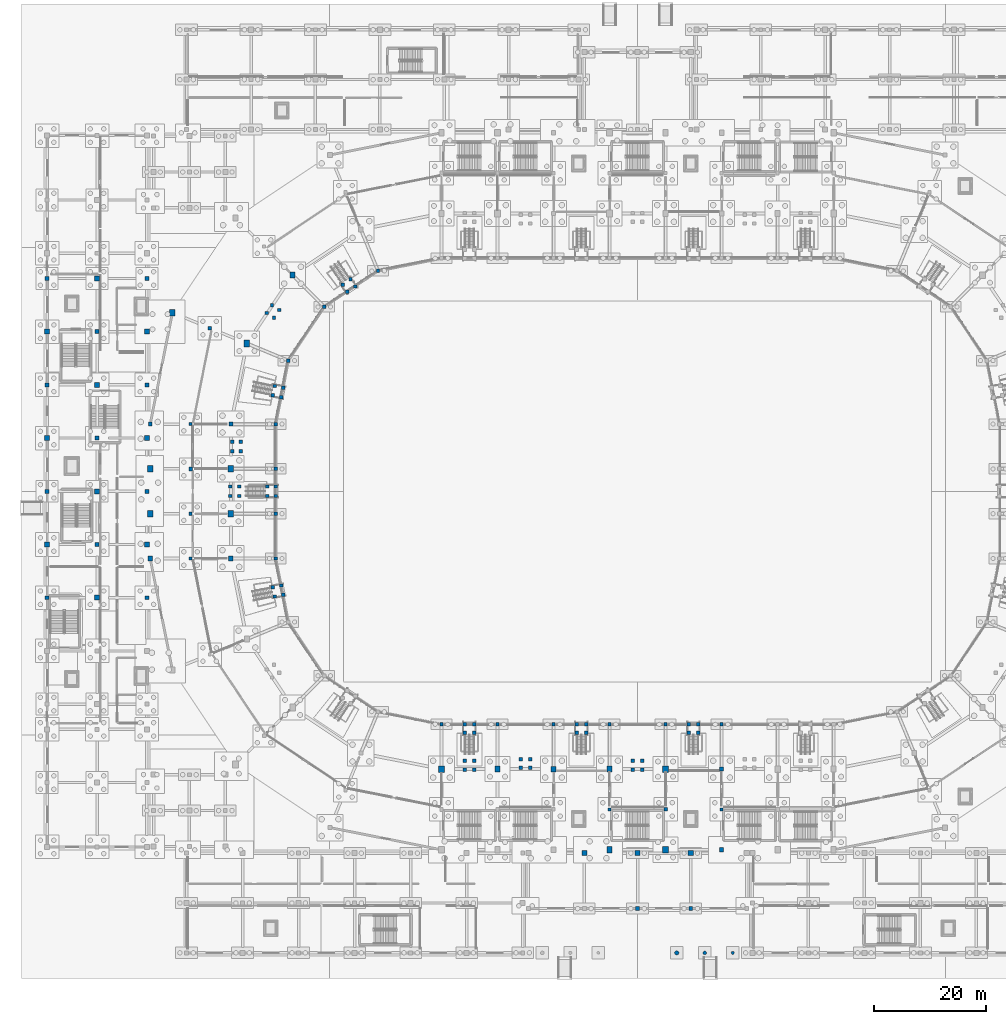
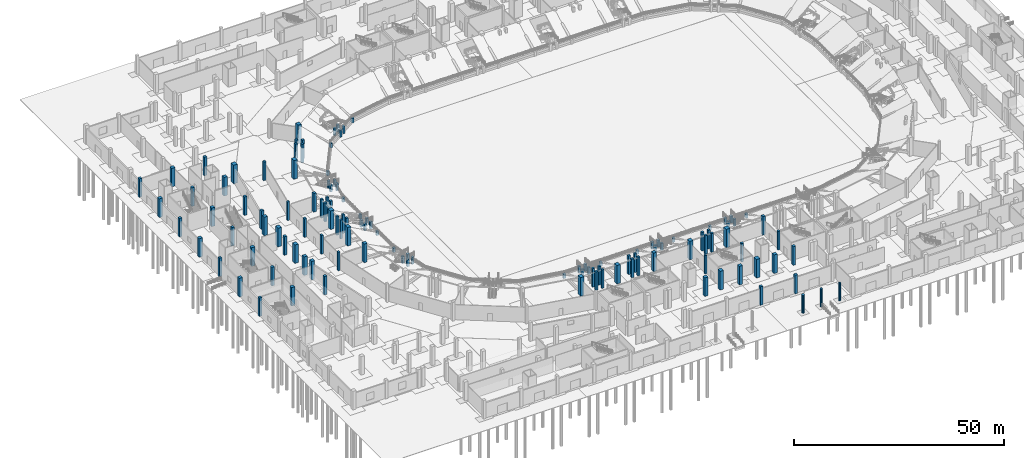
# One storey, part 15 of 68: 122 columns.
"""IFC4 building model written with IfcOpenShell, lengths in metres."""

from ifc_helpers import new_model, si_unit, direction, frame, origin, origin_2d, place, context, subcontext, project, spatial, rectangle, circle, extrude, material, material_profile, profile_set, type_object, element, save


model = new_model("IFC4")

# Units and contexts
model_context = context("Model", 3, precision=1e-05, world=origin(), true_north=direction((0.0, 1.0)))
body_context = subcontext(model_context, "Body", "Model", "MODEL_VIEW")
ifc_project = project(units=[si_unit("LENGTHUNIT", "METRE"), si_unit("AREAUNIT", "SQUARE_METRE"), si_unit("VOLUMEUNIT", "CUBIC_METRE"), si_unit("PLANEANGLEUNIT", "RADIAN"), si_unit("MASSUNIT", "GRAM", prefix="KILO")], contexts=[model_context])

# Site, building, storey
site_placement = place(None, origin())
site = spatial("IfcSite", under=ifc_project, at=site_placement, CompositionType="ELEMENT")
building_placement = place(site_placement, origin())
building = spatial("IfcBuilding", under=site, at=building_placement, Name="Candeia Ridge Stadium", CompositionType="ELEMENT")
storey_placement = place(building_placement, origin())
storey = spatial("IfcBuildingStorey", under=building, at=storey_placement, Name="L00", CompositionType="ELEMENT", Elevation=0.0)

# Columns
ifc_material_1 = material(Name="Concrete C45/55", Category="concrete")
ifc_material_profile_1 = material_profile(ifc_material_1, rectangle(XDim=1.0, YDim=1.199951171875, at=origin_2d()), Name="RC1000x1200", Category="concrete")
ifc_profile_set_1 = profile_set([ifc_material_profile_1], Name="Concrete C45/55")
column_type_1 = type_object("IfcColumnType", Name="Bowl Spine Column RC1000x1200", PredefinedType="COLUMN", material=ifc_profile_set_1)
for number, where, z_axis, x_axis, name in (
    (1, (36.26220703125, 109.388916015625, 0.0), (0.0, 0.0, 1.0), (1.0, 0.0, 0.0), "Structural column BC-MD-10 L00"),
    (2, (22.958251953125, 114.899658203125, 0.0), (0.0, 0.0, 1.0), (1.0, 0.0, 0.0), "Structural column BC-OU-10 L00"),
    (3, (33.39990234375, 87.0, 0.0), (0.0, 0.0, 1.0), (1.0, 0.0, 0.0), "Structural column BC-MD-12 L00"),
    (4, (19.0, 87.0, 0.0), (0.0, 0.0, 1.0), (1.0, 0.0, 0.0), "Structural column BC-OU-12 L00"),
    (5, (71.0, 33.39990234375, 0.0), (0.0, 0.0, 1.0), (1.0, 0.0, 0.0), "Structural column BC-MD-18 L00"),
    (6, (111.0, 33.39990234375, 0.0), (0.0, 0.0, 1.0), (1.0, 0.0, 0.0), "Structural column BC-MD-22 L00"),
    (7, (111.0, 19.0, 0.0), (0.0, 0.0, 1.0), (1.0, 0.0, 0.0), "Structural column BC-OU-22 L00"),
):
    element("IfcColumn", number, at=place(storey_placement, frame(where, z_axis=z_axis, x_axis=x_axis)), inside=storey, type_object=column_type_1, Name=name, PredefinedType="COLUMN", context=body_context, shape_type="SweptSolid", body=[
        extrude(rectangle(XDim=1.0, YDim=1.199951171875, at=origin_2d()), origin(), (0.0, 0.0, 1.0), 5.39990234375),
    ])
ifc_material_profile_2 = material_profile(ifc_material_1, rectangle(XDim=0.89990234375, YDim=0.89990234375, at=origin_2d()), Name="RC900x900", Category="concrete")
ifc_profile_set_2 = profile_set([ifc_material_profile_2], Name="Concrete C45/55")
column_type_2 = type_object("IfcColumnType", Name="Bowl Spine Column RC900x900", PredefinedType="COLUMN", material=ifc_profile_set_2)
for number, where, z_axis, x_axis, name in (
    (8, (0.60009765625, 73.5, 0.0), (0.0, 0.0, 1.0), (1.0, 0.0, 0.0), "Structural column WP-00-06 L00"),
    (9, (0.60009765625, 92.5, 0.0), (0.0, 0.0, 1.0), (1.0, 0.0, 0.0), "Structural column WP-00-08 L00"),
    (10, (0.60009765625, 111.5, 0.0), (0.0, 0.0, 1.0), (1.0, 0.0, 0.0), "Structural column WP-00-10 L00"),
    (11, (9.5, 64.0, 0.0), (0.0, 0.0, 1.0), (1.0, 0.0, 0.0), "Structural column WP-01-05 L00"),
    (12, (9.5, 83.0, 0.0), (0.0, 0.0, 1.0), (1.0, 0.0, 0.0), "Structural column WP-01-07 L00"),
    (13, (9.5, 102.0, 0.0), (0.0, 0.0, 1.0), (1.0, 0.0, 0.0), "Structural column WP-01-09 L00"),
    (14, (9.5, 121.0, 0.0), (0.0, 0.0, 1.0), (1.0, 0.0, 0.0), "Structural column WP-01-11 L00"),
    (15, (18.39990234375, 73.5, 0.0), (0.0, 0.0, 1.0), (1.0, 0.0, 0.0), "Structural column WP-02-06 L00"),
    (16, (18.39990234375, 92.5, 0.0), (0.0, 0.0, 1.0), (1.0, 0.0, 0.0), "Structural column WP-02-08 L00"),
    (17, (18.39990234375, 111.5, 0.0), (0.0, 0.0, 1.0), (1.0, 0.0, 0.0), "Structural column WP-02-10 L00"),
    (18, (96.5, 18.39990234375, 0.0), (0.0, 0.0, 1.0), (1.0, 0.0, 0.0), "Structural column SG-01-01 L00"),
    (19, (106.0, 18.39990234375, 0.0), (0.0, 0.0, 1.0), (1.0, 0.0, 0.0), "Structural column SG-02-01 L00"),
    (20, (115.5, 18.39990234375, 0.0), (0.0, 0.0, 1.0), (1.0, 0.0, 0.0), "Structural column SG-03-01 L00"),
):
    element("IfcColumn", number, at=place(storey_placement, frame(where, z_axis=z_axis, x_axis=x_axis)), inside=storey, type_object=column_type_2, Name=name, PredefinedType="COLUMN", context=body_context, shape_type="SweptSolid", body=[
        extrude(rectangle(XDim=0.89990234375, YDim=0.89990234375, at=origin_2d()), origin(), (0.0, 0.0, 1.0), 5.39990234375),
    ])
ifc_material_profile_3 = material_profile(ifc_material_1, circle(Radius=0.27490234375, at=origin_2d()), Name="RCC-D550", Category="concrete")
ifc_profile_set_3 = profile_set([ifc_material_profile_3], Name="Concrete C45/55")
column_type_3 = type_object("IfcColumnType", Name="Circular Concrete Arcade Column RCC-D550", PredefinedType="COLUMN", material=ifc_profile_set_3)
column_1_placement = place(storey_placement, frame((123.0, 0.60009765625, 0.0), z_axis=(0.0, 0.0, 1.0), x_axis=(1.0, 0.0, 0.0)))
element("IfcColumn", 21, at=column_1_placement, inside=storey, type_object=column_type_3, Name="Rain passage colonnade column RP-06", PredefinedType="COLUMN", context=body_context, shape_type="SweptSolid", body=[
    extrude(circle(Radius=0.27490234375, at=origin_2d()), origin(), (0.0, 0.0, 1.0), 5.199951171875),
])
ifc_material_profile_4 = material_profile(ifc_material_1, circle(Radius=0.324951171875, at=origin_2d()), Name="RCC-D650", Category="concrete")
ifc_profile_set_4 = profile_set([ifc_material_profile_4], Name="Concrete C45/55")
column_type_4 = type_object("IfcColumnType", Name="Circular Concrete Arcade Column RCC-D650", PredefinedType="COLUMN", material=ifc_profile_set_4)
column_2_placement = place(storey_placement, frame((118.0, 0.60009765625, 0.0), z_axis=(0.0, 0.0, 1.0), x_axis=(1.0, 0.0, 0.0)))
element("IfcColumn", 22, at=column_2_placement, inside=storey, type_object=column_type_4, Name="Rain passage colonnade column RP-05", PredefinedType="COLUMN", context=body_context, shape_type="SweptSolid", body=[
    extrude(circle(Radius=0.324951171875, at=origin_2d()), origin(), (0.0, 0.0, 1.0), 5.199951171875),
])
ifc_material_profile_5 = material_profile(ifc_material_1, circle(Radius=0.375, at=origin_2d()), Name="RCC-D750", Category="concrete")
ifc_profile_set_5 = profile_set([ifc_material_profile_5], Name="Concrete C45/55")
column_type_5 = type_object("IfcColumnType", Name="Circular Concrete Arcade Column RCC-D750", PredefinedType="COLUMN", material=ifc_profile_set_5)
column_3_placement = place(storey_placement, frame((113.0, 0.60009765625, 0.0), z_axis=(0.0, 0.0, 1.0), x_axis=(1.0, 0.0, 0.0)))
element("IfcColumn", 23, at=column_3_placement, inside=storey, type_object=column_type_5, Name="Rain passage colonnade column RP-04", PredefinedType="COLUMN", context=body_context, shape_type="SweptSolid", body=[
    extrude(circle(Radius=0.375, at=origin_2d()), origin(), (0.0, 0.0, 1.0), 5.199951171875),
])
ifc_material_2 = material(Name="Concrete C40/50", Category="concrete")
ifc_material_profile_6 = material_profile(ifc_material_2, rectangle(XDim=0.47998046875, YDim=0.56005859375, at=origin_2d()), Name="RC480x560", Category="concrete")
ifc_profile_set_6 = profile_set([ifc_material_profile_6], Name="Concrete C40/50")
column_type_6 = type_object("IfcColumnType", Name="Graduated Frame Column RC480x560", PredefinedType="COLUMN", material=ifc_profile_set_6)
column_4_placement = place(storey_placement, frame((101.0, 26.199951171875, 0.0), z_axis=(0.0, 0.0, 1.0), x_axis=(1.0, 0.0, 0.0)))
element("IfcColumn", 24, at=column_4_placement, inside=storey, type_object=column_type_6, Name="Structural column BC-M2-21 L00", PredefinedType="COLUMN", context=body_context, shape_type="SweptSolid", body=[
    extrude(rectangle(XDim=0.47998046875, YDim=0.56005859375, at=origin_2d()), origin(), (0.0, 0.0, 1.0), 5.39990234375),
])
ifc_material_profile_7 = material_profile(ifc_material_2, rectangle(XDim=0.52001953125, YDim=0.6201171875, at=origin_2d()), Name="RC520x620", Category="concrete")
ifc_profile_set_7 = profile_set([ifc_material_profile_7], Name="Concrete C40/50")
column_type_7 = type_object("IfcColumnType", Name="Graduated Frame Column RC520x620", PredefinedType="COLUMN", material=ifc_profile_set_7)
column_5_placement = place(storey_placement, frame((26.199951171875, 71.0, 0.0), z_axis=(0.0, 0.0, 1.0), x_axis=(1.0, 0.0, 0.0)))
element("IfcColumn", 25, at=column_5_placement, inside=storey, type_object=column_type_7, Name="Structural column BC-M2-14 L00", PredefinedType="COLUMN", context=body_context, shape_type="SweptSolid", body=[
    extrude(rectangle(XDim=0.52001953125, YDim=0.6201171875, at=origin_2d()), origin(), (0.0, 0.0, 1.0), 5.39990234375),
])
ifc_material_profile_8 = material_profile(ifc_material_2, rectangle(XDim=0.580078125, YDim=0.580078125, at=origin_2d()), Name="RC580x580", Category="concrete")
ifc_profile_set_8 = profile_set([ifc_material_profile_8], Name="Concrete C40/50")
column_type_8 = type_object("IfcColumnType", Name="Graduated Frame Column RC580x580", PredefinedType="COLUMN", material=ifc_profile_set_8)
for number, where, z_axis, x_axis, name in (
    (26, (26.199951171875, 95.0, 0.0), (0.0, 0.0, 1.0), (1.0, 0.0, 0.0), "Structural column BC-M2-11 L00"),
    (27, (121.0, 26.199951171875, 0.0), (0.0, 0.0, 1.0), (1.0, 0.0, 0.0), "Structural column BC-M2-23 L00"),
):
    element("IfcColumn", number, at=place(storey_placement, frame(where, z_axis=z_axis, x_axis=x_axis)), inside=storey, type_object=column_type_8, Name=name, PredefinedType="COLUMN", context=body_context, shape_type="SweptSolid", body=[
        extrude(rectangle(XDim=0.580078125, YDim=0.580078125, at=origin_2d()), origin(), (0.0, 0.0, 1.0), 5.39990234375),
    ])
ifc_material_profile_9 = material_profile(ifc_material_2, rectangle(XDim=0.580078125, YDim=0.679931640625, at=origin_2d()), Name="RC580x680", Category="concrete")
ifc_profile_set_9 = profile_set([ifc_material_profile_9], Name="Concrete C40/50")
column_type_9 = type_object("IfcColumnType", Name="Graduated Frame Column RC580x680", PredefinedType="COLUMN", material=ifc_profile_set_9)
column_6_placement = place(storey_placement, frame((26.199951171875, 79.0, 0.0), z_axis=(0.0, 0.0, 1.0), x_axis=(1.0, 0.0, 0.0)))
element("IfcColumn", 28, at=column_6_placement, inside=storey, type_object=column_type_9, Name="Structural column BC-M2-13 L00", PredefinedType="COLUMN", context=body_context, shape_type="SweptSolid", body=[
    extrude(rectangle(XDim=0.580078125, YDim=0.679931640625, at=origin_2d()), origin(), (0.0, 0.0, 1.0), 5.39990234375),
])
ifc_material_profile_10 = material_profile(ifc_material_2, rectangle(XDim=0.6201171875, YDim=0.6201171875, at=origin_2d()), Name="RC620x620", Category="concrete")
ifc_profile_set_10 = profile_set([ifc_material_profile_10], Name="Concrete C40/50")
column_type_10 = type_object("IfcColumnType", Name="Graduated Frame Column RC620x620", PredefinedType="COLUMN", material=ifc_profile_set_10)
for number, where, z_axis, x_axis, name in (
    (29, (29.610107421875, 112.144287109375, 0.0), (0.0, 0.0, 1.0), (1.0, 0.0, 0.0), "Structural column BC-M2-10 L00"),
    (30, (111.0, 26.199951171875, 0.0), (0.0, 0.0, 1.0), (1.0, 0.0, 0.0), "Structural column BC-M2-22 L00"),
):
    element("IfcColumn", number, at=place(storey_placement, frame(where, z_axis=z_axis, x_axis=x_axis)), inside=storey, type_object=column_type_10, Name=name, PredefinedType="COLUMN", context=body_context, shape_type="SweptSolid", body=[
        extrude(rectangle(XDim=0.6201171875, YDim=0.6201171875, at=origin_2d()), origin(), (0.0, 0.0, 1.0), 5.39990234375),
    ])
ifc_material_profile_11 = material_profile(ifc_material_2, rectangle(XDim=0.6201171875, YDim=0.719970703125, at=origin_2d()), Name="RC620x720", Category="concrete")
ifc_profile_set_11 = profile_set([ifc_material_profile_11], Name="Concrete C40/50")
column_type_11 = type_object("IfcColumnType", Name="Graduated Frame Column RC620x720", PredefinedType="COLUMN", material=ifc_profile_set_11)
column_7_placement = place(storey_placement, frame((26.199951171875, 87.0, 0.0), z_axis=(0.0, 0.0, 1.0), x_axis=(1.0, 0.0, 0.0)))
element("IfcColumn", 31, at=column_7_placement, inside=storey, type_object=column_type_11, Name="Structural column BC-M2-12 L00", PredefinedType="COLUMN", context=body_context, shape_type="SweptSolid", body=[
    extrude(rectangle(XDim=0.6201171875, YDim=0.719970703125, at=origin_2d()), origin(), (0.0, 0.0, 1.0), 5.39990234375),
])
ifc_material_profile_12 = material_profile(ifc_material_2, rectangle(XDim=0.679931640625, YDim=0.760009765625, at=origin_2d()), Name="RC680x760", Category="concrete")
ifc_profile_set_12 = profile_set([ifc_material_profile_12], Name="Concrete C40/50")
column_type_12 = type_object("IfcColumnType", Name="Graduated Frame Column RC680x760", PredefinedType="COLUMN", material=ifc_profile_set_12)
for number, where, z_axis, x_axis, name in (
    (32, (33.39990234375, 95.0, 0.0), (0.0, 0.0, 1.0), (1.0, 0.0, 0.0), "Structural column BC-MD-11 L00"),
    (33, (19.0, 95.0, 0.0), (0.0, 0.0, 1.0), (1.0, 0.0, 0.0), "Structural column BC-OU-11 L00"),
    (34, (121.0, 33.39990234375, 0.0), (0.0, 0.0, 1.0), (1.0, 0.0, 0.0), "Structural column BC-MD-23 L00"),
    (35, (121.0, 19.0, 0.0), (0.0, 0.0, 1.0), (1.0, 0.0, 0.0), "Structural column BC-OU-23 L00"),
):
    element("IfcColumn", number, at=place(storey_placement, frame(where, z_axis=z_axis, x_axis=x_axis)), inside=storey, type_object=column_type_12, Name=name, PredefinedType="COLUMN", context=body_context, shape_type="SweptSolid", body=[
        extrude(rectangle(XDim=0.679931640625, YDim=0.760009765625, at=origin_2d()), origin(), (0.0, 0.0, 1.0), 5.39990234375),
    ])
ifc_material_profile_13 = material_profile(ifc_material_1, rectangle(XDim=0.820068359375, YDim=0.949951171875, at=origin_2d()), Name="RC820x950", Category="concrete")
ifc_profile_set_13 = profile_set([ifc_material_profile_13], Name="Concrete C45/55")
column_type_13 = type_object("IfcColumnType", Name="Graduated Frame Column RC820x950", PredefinedType="COLUMN", material=ifc_profile_set_13)
for number, where, z_axis, x_axis, name in (
    (36, (33.39990234375, 71.0, 0.0), (0.0, 0.0, 1.0), (1.0, 0.0, 0.0), "Structural column BC-MD-14 L00"),
    (37, (19.0, 71.0, 0.0), (0.0, 0.0, 1.0), (1.0, 0.0, 0.0), "Structural column BC-OU-14 L00"),
    (38, (91.0, 33.39990234375, 0.0), (0.0, 0.0, 1.0), (1.0, 0.0, 0.0), "Structural column BC-MD-20 L00"),
):
    element("IfcColumn", number, at=place(storey_placement, frame(where, z_axis=z_axis, x_axis=x_axis)), inside=storey, type_object=column_type_13, Name=name, PredefinedType="COLUMN", context=body_context, shape_type="SweptSolid", body=[
        extrude(rectangle(XDim=0.820068359375, YDim=0.949951171875, at=origin_2d()), origin(), (0.0, 0.0, 1.0), 5.39990234375),
    ])
ifc_material_profile_14 = material_profile(ifc_material_1, rectangle(XDim=0.949951171875, YDim=1.10009765625, at=origin_2d()), Name="RC950x1100", Category="concrete")
ifc_profile_set_14 = profile_set([ifc_material_profile_14], Name="Concrete C45/55")
column_type_14 = type_object("IfcColumnType", Name="Reinforced Concrete Column RC950x1100", PredefinedType="COLUMN", material=ifc_profile_set_14)
for number, where, z_axis, x_axis, name in (
    (39, (44.412841796875, 121.587158203125, 0.0), (0.0, 0.0, 1.0), (1.0, 0.0, 0.0), "Structural column BC-MD-09 L00"),
    (40, (33.39990234375, 79.0, 0.0), (0.0, 0.0, 1.0), (1.0, 0.0, 0.0), "Structural column BC-MD-13 L00"),
    (41, (19.0, 79.0, 0.0), (0.0, 0.0, 1.0), (1.0, 0.0, 0.0), "Structural column BC-OU-13 L00"),
    (42, (81.0, 33.39990234375, 0.0), (0.0, 0.0, 1.0), (1.0, 0.0, 0.0), "Structural column BC-MD-19 L00"),
    (43, (101.0, 33.39990234375, 0.0), (0.0, 0.0, 1.0), (1.0, 0.0, 0.0), "Structural column BC-MD-21 L00"),
    (44, (101.0, 19.0, 0.0), (0.0, 0.0, 1.0), (1.0, 0.0, 0.0), "Structural column BC-OU-21 L00"),
):
    element("IfcColumn", number, at=place(storey_placement, frame(where, z_axis=z_axis, x_axis=x_axis)), inside=storey, type_object=column_type_14, Name=name, PredefinedType="COLUMN", context=body_context, shape_type="SweptSolid", body=[
        extrude(rectangle(XDim=0.949951171875, YDim=1.10009765625, at=origin_2d()), origin(), (0.0, 0.0, 1.0), 5.39990234375),
    ])
ifc_material_profile_15 = material_profile(ifc_material_2, rectangle(XDim=0.60009765625, YDim=0.60009765625, at=origin_2d()), Name="RC600x600", Category="concrete")
ifc_profile_set_15 = profile_set([ifc_material_profile_15], Name="Concrete C40/50")
column_type_15 = type_object("IfcColumnType", Name="Wing Column RC600x600", PredefinedType="COLUMN", material=ifc_profile_set_15)
for number, where, z_axis, x_axis, name in (
    (45, (59.672607421875, 122.346923828125, 0.0), (0.0, 0.0, 1.0), (1.0, 0.0, 0.0), "Inner stand support column BC-IN-08"),
    (46, (50.069580078125, 115.930419921875, 0.0), (0.0, 0.0, 1.0), (1.0, 0.0, 0.0), "Inner stand support column BC-IN-09"),
    (47, (43.653076171875, 106.327392578125, 0.0), (0.0, 0.0, 1.0), (1.0, 0.0, 0.0), "Inner stand support column BC-IN-10"),
    (48, (41.39990234375, 95.0, 0.0), (0.0, 0.0, 1.0), (1.0, 0.0, 0.0), "Inner stand support column BC-IN-11"),
    (49, (41.39990234375, 87.0, 0.0), (0.0, 0.0, 1.0), (1.0, 0.0, 0.0), "Inner stand support column BC-IN-12"),
    (50, (41.39990234375, 79.0, 0.0), (0.0, 0.0, 1.0), (1.0, 0.0, 0.0), "Inner stand support column BC-IN-13"),
    (51, (41.39990234375, 71.0, 0.0), (0.0, 0.0, 1.0), (1.0, 0.0, 0.0), "Inner stand support column BC-IN-14"),
    (52, (71.0, 41.39990234375, 0.0), (0.0, 0.0, 1.0), (1.0, 0.0, 0.0), "Inner stand support column BC-IN-18"),
    (53, (81.0, 41.39990234375, 0.0), (0.0, 0.0, 1.0), (1.0, 0.0, 0.0), "Inner stand support column BC-IN-19"),
    (54, (91.0, 41.39990234375, 0.0), (0.0, 0.0, 1.0), (1.0, 0.0, 0.0), "Inner stand support column BC-IN-20"),
    (55, (101.0, 41.39990234375, 0.0), (0.0, 0.0, 1.0), (1.0, 0.0, 0.0), "Inner stand support column BC-IN-21"),
    (56, (111.0, 41.39990234375, 0.0), (0.0, 0.0, 1.0), (1.0, 0.0, 0.0), "Inner stand support column BC-IN-22"),
    (57, (121.0, 41.39990234375, 0.0), (0.0, 0.0, 1.0), (1.0, 0.0, 0.0), "Inner stand support column BC-IN-23"),
):
    element("IfcColumn", number, at=place(storey_placement, frame(where, z_axis=z_axis, x_axis=x_axis)), inside=storey, type_object=column_type_15, Name=name, PredefinedType="COLUMN", context=body_context, shape_type="SweptSolid", body=[
        extrude(rectangle(XDim=0.60009765625, YDim=0.60009765625, at=origin_2d()), origin(), (0.0, 0.0, 1.0), 1.25),
    ])
for number, where, z_axis, x_axis, name in (
    (58, (53.3388671875, 119.902099609375, 0.0), (0.0, 0.0, 1.0), (1.0, 0.0, 0.0), "Vomitory VS05 landing support column 1 L00"),
    (59, (54.199951171875, 118.61328125, 0.0), (0.0, 0.0, 1.0), (1.0, 0.0, 0.0), "Vomitory VS05 landing support column 2 L00"),
    (60, (55.61328125, 119.5576171875, 0.0), (0.0, 0.0, 1.0), (1.0, 0.0, 0.0), "Vomitory VS05 landing support column 3 L00"),
    (61, (54.752197265625, 120.846435546875, 0.0), (0.0, 0.0, 1.0), (1.0, 0.0, 0.0), "Vomitory VS05 landing support column 4 L00"),
    (62, (40.9033203125, 100.1201171875, 0.0), (0.0, 0.0, 1.0), (1.0, 0.0, 0.0), "Vomitory VS06 landing support column 1 L00"),
    (63, (42.423583984375, 99.817626953125, 0.0), (0.0, 0.0, 1.0), (1.0, 0.0, 0.0), "Vomitory VS06 landing support column 2 L00"),
    (64, (42.755126953125, 101.48486328125, 0.0), (0.0, 0.0, 1.0), (1.0, 0.0, 0.0), "Vomitory VS06 landing support column 3 L00"),
    (65, (41.23486328125, 101.787353515625, 0.0), (0.0, 0.0, 1.0), (1.0, 0.0, 0.0), "Vomitory VS06 landing support column 4 L00"),
    (66, (39.8779296875, 82.14990234375, 0.0), (0.0, 0.0, 1.0), (1.0, 0.0, 0.0), "Vomitory VS07 landing support column 1 L00"),
    (67, (41.427978515625, 82.14990234375, 0.0), (0.0, 0.0, 1.0), (1.0, 0.0, 0.0), "Vomitory VS07 landing support column 2 L00"),
    (68, (41.427978515625, 83.85009765625, 0.0), (0.0, 0.0, 1.0), (1.0, 0.0, 0.0), "Vomitory VS07 landing support column 3 L00"),
    (69, (39.8779296875, 83.85009765625, 0.0), (0.0, 0.0, 1.0), (1.0, 0.0, 0.0), "Vomitory VS07 landing support column 4 L00"),
    (70, (41.23486328125, 64.212646484375, 0.0), (0.0, 0.0, 1.0), (1.0, 0.0, 0.0), "Vomitory VS08 landing support column 1 L00"),
    (71, (42.755126953125, 64.51513671875, 0.0), (0.0, 0.0, 1.0), (1.0, 0.0, 0.0), "Vomitory VS08 landing support column 2 L00"),
    (72, (42.423583984375, 66.182373046875, 0.0), (0.0, 0.0, 1.0), (1.0, 0.0, 0.0), "Vomitory VS08 landing support column 3 L00"),
    (73, (40.9033203125, 65.8798828125, 0.0), (0.0, 0.0, 1.0), (1.0, 0.0, 0.0), "Vomitory VS08 landing support column 4 L00"),
    (74, (76.85009765625, 39.8779296875, 0.0), (0.0, 0.0, 1.0), (1.0, 0.0, 0.0), "Vomitory VS10 landing support column 1 L00"),
    (75, (76.85009765625, 41.427978515625, 0.0), (0.0, 0.0, 1.0), (1.0, 0.0, 0.0), "Vomitory VS10 landing support column 2 L00"),
    (76, (75.14990234375, 41.427978515625, 0.0), (0.0, 0.0, 1.0), (1.0, 0.0, 0.0), "Vomitory VS10 landing support column 3 L00"),
    (77, (75.14990234375, 39.8779296875, 0.0), (0.0, 0.0, 1.0), (1.0, 0.0, 0.0), "Vomitory VS10 landing support column 4 L00"),
    (78, (96.85009765625, 39.8779296875, 0.0), (0.0, 0.0, 1.0), (1.0, 0.0, 0.0), "Vomitory VS11 landing support column 1 L00"),
    (79, (96.85009765625, 41.427978515625, 0.0), (0.0, 0.0, 1.0), (1.0, 0.0, 0.0), "Vomitory VS11 landing support column 2 L00"),
    (80, (95.14990234375, 41.427978515625, 0.0), (0.0, 0.0, 1.0), (1.0, 0.0, 0.0), "Vomitory VS11 landing support column 3 L00"),
    (81, (95.14990234375, 39.8779296875, 0.0), (0.0, 0.0, 1.0), (1.0, 0.0, 0.0), "Vomitory VS11 landing support column 4 L00"),
    (82, (116.85009765625, 39.8779296875, 0.0), (0.0, 0.0, 1.0), (1.0, 0.0, 0.0), "Vomitory VS12 landing support column 1 L00"),
    (83, (116.85009765625, 41.427978515625, 0.0), (0.0, 0.0, 1.0), (1.0, 0.0, 0.0), "Vomitory VS12 landing support column 2 L00"),
    (84, (115.14990234375, 41.427978515625, 0.0), (0.0, 0.0, 1.0), (1.0, 0.0, 0.0), "Vomitory VS12 landing support column 3 L00"),
    (85, (115.14990234375, 39.8779296875, 0.0), (0.0, 0.0, 1.0), (1.0, 0.0, 0.0), "Vomitory VS12 landing support column 4 L00"),
):
    element("IfcColumn", number, at=place(storey_placement, frame(where, z_axis=z_axis, x_axis=x_axis)), inside=storey, type_object=column_type_15, Name=name, PredefinedType="COLUMN", context=body_context, shape_type="SweptSolid", body=[
        extrude(rectangle(XDim=0.60009765625, YDim=0.60009765625, at=origin_2d()), origin(), (0.0, 0.0, 1.0), 2.0400390625),
    ])
for number, where, z_axis, x_axis, name in (
    (86, (33.6298828125, 90.14990234375, 0.0), (0.0, 0.0, 1.0), (1.0, 0.0, 0.0), "Vomitory VS21 landing support column 1 L00"),
    (87, (35.179931640625, 90.14990234375, 0.0), (0.0, 0.0, 1.0), (1.0, 0.0, 0.0), "Vomitory VS21 landing support column 2 L00"),
    (88, (35.179931640625, 91.85009765625, 0.0), (0.0, 0.0, 1.0), (1.0, 0.0, 0.0), "Vomitory VS21 landing support column 3 L00"),
    (89, (33.6298828125, 91.85009765625, 0.0), (0.0, 0.0, 1.0), (1.0, 0.0, 0.0), "Vomitory VS21 landing support column 4 L00"),
    (90, (86.85009765625, 33.6298828125, 0.0), (0.0, 0.0, 1.0), (1.0, 0.0, 0.0), "Vomitory VS22 landing support column 1 L00"),
    (91, (86.85009765625, 35.179931640625, 0.0), (0.0, 0.0, 1.0), (1.0, 0.0, 0.0), "Vomitory VS22 landing support column 2 L00"),
    (92, (85.14990234375, 35.179931640625, 0.0), (0.0, 0.0, 1.0), (1.0, 0.0, 0.0), "Vomitory VS22 landing support column 3 L00"),
    (93, (85.14990234375, 33.6298828125, 0.0), (0.0, 0.0, 1.0), (1.0, 0.0, 0.0), "Vomitory VS22 landing support column 4 L00"),
    (94, (39.803955078125, 114.822265625, 0.0), (0.0, 0.0, 1.0), (1.0, 0.0, 0.0), "Vomitory VS28 landing support column 1 L00"),
    (95, (41.0927734375, 113.961181640625, 0.0), (0.0, 0.0, 1.0), (1.0, 0.0, 0.0), "Vomitory VS28 landing support column 2 L00"),
    (96, (42.037109375, 115.37451171875, 0.0), (0.0, 0.0, 1.0), (1.0, 0.0, 0.0), "Vomitory VS28 landing support column 3 L00"),
    (97, (40.748291015625, 116.23583984375, 0.0), (0.0, 0.0, 1.0), (1.0, 0.0, 0.0), "Vomitory VS28 landing support column 4 L00"),
    (98, (33.318115234375, 82.14990234375, 0.0), (0.0, 0.0, 1.0), (1.0, 0.0, 0.0), "Vomitory VS29 landing support column 1 L00"),
    (99, (34.867919921875, 82.14990234375, 0.0), (0.0, 0.0, 1.0), (1.0, 0.0, 0.0), "Vomitory VS29 landing support column 2 L00"),
    (100, (34.867919921875, 83.85009765625, 0.0), (0.0, 0.0, 1.0), (1.0, 0.0, 0.0), "Vomitory VS29 landing support column 3 L00"),
    (101, (33.318115234375, 83.85009765625, 0.0), (0.0, 0.0, 1.0), (1.0, 0.0, 0.0), "Vomitory VS29 landing support column 4 L00"),
    (102, (76.85009765625, 33.318115234375, 0.0), (0.0, 0.0, 1.0), (1.0, 0.0, 0.0), "Vomitory VS31 landing support column 1 L00"),
    (103, (76.85009765625, 34.867919921875, 0.0), (0.0, 0.0, 1.0), (1.0, 0.0, 0.0), "Vomitory VS31 landing support column 2 L00"),
    (104, (75.14990234375, 34.867919921875, 0.0), (0.0, 0.0, 1.0), (1.0, 0.0, 0.0), "Vomitory VS31 landing support column 3 L00"),
    (105, (75.14990234375, 33.318115234375, 0.0), (0.0, 0.0, 1.0), (1.0, 0.0, 0.0), "Vomitory VS31 landing support column 4 L00"),
    (106, (106.85009765625, 33.318115234375, 0.0), (0.0, 0.0, 1.0), (1.0, 0.0, 0.0), "Vomitory VS32 landing support column 1 L00"),
    (107, (106.85009765625, 34.867919921875, 0.0), (0.0, 0.0, 1.0), (1.0, 0.0, 0.0), "Vomitory VS32 landing support column 2 L00"),
    (108, (105.14990234375, 34.867919921875, 0.0), (0.0, 0.0, 1.0), (1.0, 0.0, 0.0), "Vomitory VS32 landing support column 3 L00"),
    (109, (105.14990234375, 33.318115234375, 0.0), (0.0, 0.0, 1.0), (1.0, 0.0, 0.0), "Vomitory VS32 landing support column 4 L00"),
):
    element("IfcColumn", number, at=place(storey_placement, frame(where, z_axis=z_axis, x_axis=x_axis)), inside=storey, type_object=column_type_15, Name=name, PredefinedType="COLUMN", context=body_context, shape_type="SweptSolid", body=[
        extrude(rectangle(XDim=0.60009765625, YDim=0.60009765625, at=origin_2d()), origin(), (0.0, 0.0, 1.0), 5.39990234375),
    ])
ifc_material_profile_16 = material_profile(ifc_material_2, rectangle(XDim=0.699951171875, YDim=0.699951171875, at=origin_2d()), Name="RC700x700", Category="concrete")
ifc_profile_set_16 = profile_set([ifc_material_profile_16], Name="Concrete C40/50")
column_type_16 = type_object("IfcColumnType", Name="Wing Column RC700x700", PredefinedType="COLUMN", material=ifc_profile_set_16)
for number, where, z_axis, x_axis, name in (
    (110, (0.60009765625, 64.0, 0.0), (0.0, 0.0, 1.0), (1.0, 0.0, 0.0), "Structural column WP-00-05 L00"),
    (111, (0.60009765625, 83.0, 0.0), (0.0, 0.0, 1.0), (1.0, 0.0, 0.0), "Structural column WP-00-07 L00"),
    (112, (0.60009765625, 102.0, 0.0), (0.0, 0.0, 1.0), (1.0, 0.0, 0.0), "Structural column WP-00-09 L00"),
    (113, (0.60009765625, 121.0, 0.0), (0.0, 0.0, 1.0), (1.0, 0.0, 0.0), "Structural column WP-00-11 L00"),
    (114, (9.5, 73.5, 0.0), (0.0, 0.0, 1.0), (1.0, 0.0, 0.0), "Structural column WP-01-06 L00"),
    (115, (9.5, 92.5, 0.0), (0.0, 0.0, 1.0), (1.0, 0.0, 0.0), "Structural column WP-01-08 L00"),
    (116, (9.5, 111.5, 0.0), (0.0, 0.0, 1.0), (1.0, 0.0, 0.0), "Structural column WP-01-10 L00"),
    (117, (18.39990234375, 64.0, 0.0), (0.0, 0.0, 1.0), (1.0, 0.0, 0.0), "Structural column WP-02-05 L00"),
    (118, (18.39990234375, 83.0, 0.0), (0.0, 0.0, 1.0), (1.0, 0.0, 0.0), "Structural column WP-02-07 L00"),
    (119, (18.39990234375, 102.0, 0.0), (0.0, 0.0, 1.0), (1.0, 0.0, 0.0), "Structural column WP-02-09 L00"),
    (120, (18.39990234375, 121.0, 0.0), (0.0, 0.0, 1.0), (1.0, 0.0, 0.0), "Structural column WP-02-11 L00"),
    (121, (106.0, 8.5, 0.0), (0.0, 0.0, 1.0), (1.0, 0.0, 0.0), "Structural column SG-02-00 L00"),
    (122, (115.5, 8.5, 0.0), (0.0, 0.0, 1.0), (1.0, 0.0, 0.0), "Structural column SG-03-00 L00"),
):
    element("IfcColumn", number, at=place(storey_placement, frame(where, z_axis=z_axis, x_axis=x_axis)), inside=storey, type_object=column_type_16, Name=name, PredefinedType="COLUMN", context=body_context, shape_type="SweptSolid", body=[
        extrude(rectangle(XDim=0.699951171875, YDim=0.699951171875, at=origin_2d()), origin(), (0.0, 0.0, 1.0), 5.39990234375),
    ])

save(model, "model.ifc")
